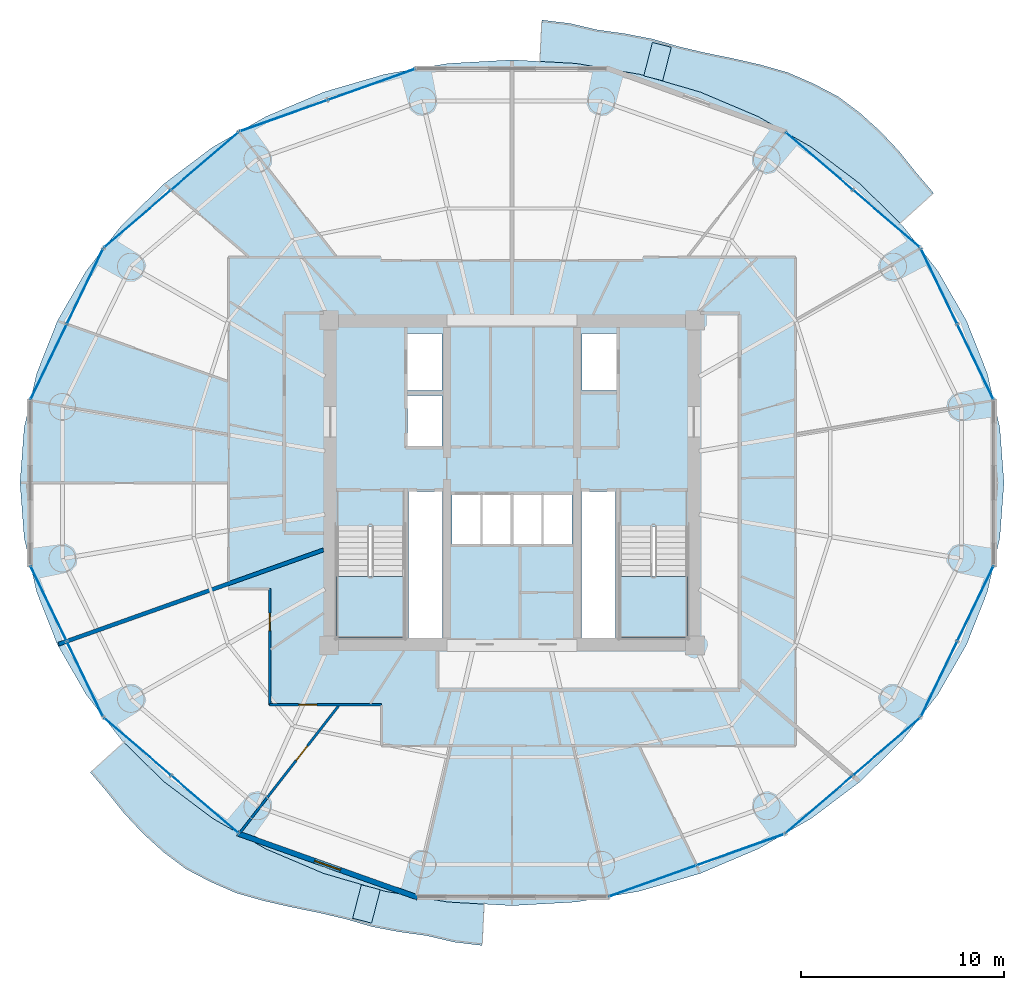
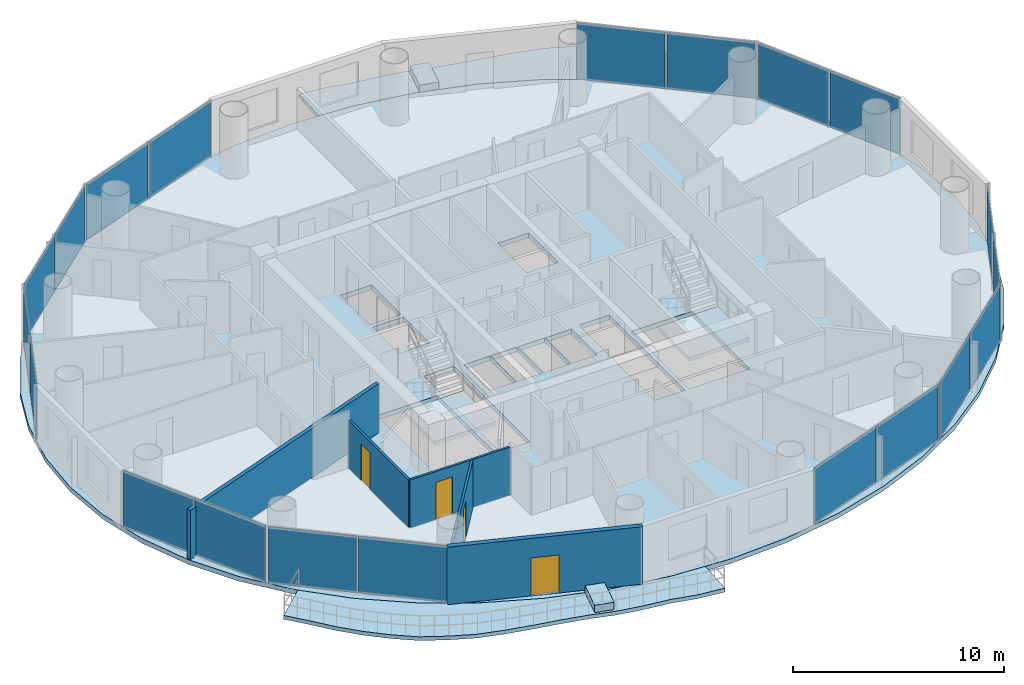
# One storey, part 20 of 27: 20 plates, 7 slabs, 5 walls, 4 doors, 4 openings, 12 elements without a shape of their own.
"""IFC4 building model written with IfcOpenShell, lengths in metres."""

from ifc_helpers import new_model, si_unit, direction, frame, frame_2d, origin, origin_2d, place, context, subcontext, project, spatial, polyline, rectangle, outline, extrude, source, transform, mapped, material, layer, layer_set, type_object, element, fill, aggregate, save


model = new_model("IFC4")

# Units and contexts
model_context = context("Model", 3, precision=1e-05, world=origin(), true_north=direction((-0.2419218956, 0.970295726276)))
body_context = subcontext(model_context, "Body", "Model", "MODEL_VIEW")
ifc_project = project(units=[si_unit("LENGTHUNIT", "METRE"), si_unit("AREAUNIT", "SQUARE_METRE"), si_unit("VOLUMEUNIT", "CUBIC_METRE"), si_unit("PLANEANGLEUNIT", "RADIAN"), si_unit("MASSUNIT", "GRAM", prefix="KILO")], contexts=[model_context])

# Site, building, storey
site_placement = place(None, origin())
site = spatial("IfcSite", under=ifc_project, at=site_placement, CompositionType="ELEMENT")
building_placement = place(site_placement, origin())
building = spatial("IfcBuilding", under=site, at=building_placement, Name="Cobrevalo Terracotta Tower", CompositionType="ELEMENT")
storey_placement = place(building_placement, frame((0.0, 0.0, 153.39990234375)))
storey = spatial("IfcBuildingStorey", under=building, at=storey_placement, Name="L40", CompositionType="ELEMENT", Elevation=153.39990234375)

# Stair, slab
ifc_material_1 = material(Name="Concrete C50", Category="concrete")
stair_type = type_object("IfcStairType", Name="Core protected escape dogleg stair 1600", PredefinedType="HALF_TURN_STAIR", material=ifc_material_1)
stair_1_placement = place(storey_placement, origin())
stair_1 = element("IfcStair", 1, at=stair_1_placement, inside=storey, type_object=stair_type, Name="L40 Protected exit stair ST-1", PredefinedType="HALF_TURN_STAIR")
ifc_layer_1 = layer(ifc_material_1, 0.199951171875)
ifc_layer_set_1 = layer_set([ifc_layer_1], Name="Concrete C50")
slab_type_1 = type_object("IfcSlabType", Name="Reinforced Concrete Stair Landing 200", PredefinedType="LANDING", material=ifc_layer_set_1)
slab_1_placement = place(storey_placement, frame((0.0, 0.0, 1.60009765625)))
slab_1 = element("IfcSlab", 2, at=slab_1_placement, type_object=slab_type_1, Name="ST-1 landing 1", PredefinedType="LANDING", context=body_context, shape_type="SweptSolid", body=[
    extrude(outline(polyline([(29.375, 22.179931640625), (29.375, 19.175048828125), (32.695068359375, 19.175048828125), (32.695068359375, 22.179931640625), (29.375, 22.179931640625)])), origin(), (0.0, 0.0, 1.0), 0.199951171875),
])
aggregate(stair_1, [slab_1])

stair_2_placement = place(storey_placement, origin())
stair_2 = element("IfcStair", 3, at=stair_2_placement, inside=storey, type_object=stair_type, Name="L40 Protected exit stair ST-2", PredefinedType="HALF_TURN_STAIR")
slab_2_placement = place(storey_placement, frame((0.0, 0.0, 1.60009765625)))
slab_2 = element("IfcSlab", 4, at=slab_2_placement, type_object=slab_type_1, Name="ST-2 landing 1", PredefinedType="LANDING", context=body_context, shape_type="SweptSolid", body=[
    extrude(outline(polyline([(43.304931640625, 22.179931640625), (43.304931640625, 19.175048828125), (46.625, 19.175048828125), (46.625, 22.179931640625), (43.304931640625, 22.179931640625)])), origin(), (0.0, 0.0, 1.0), 0.199951171875),
])
aggregate(stair_2, [slab_2])

# Slabs
ifc_material_2 = material(Name="Concrete C45", Category="concrete")
ifc_layer_2 = layer(ifc_material_2, 0.219970703125)
ifc_layer_set_2 = layer_set([ifc_layer_2], Name="Concrete C45")
slab_type_2 = type_object("IfcSlabType", Name="Spiralling cantilevered balcony lobe slab 220 mm", PredefinedType="FLOOR", material=ifc_layer_set_2)
slab_3_placement = place(storey_placement, frame((0.0, 0.0, -0.219970703125)))
element("IfcSlab", 5, at=slab_3_placement, inside=storey, type_object=slab_type_2, Name="L40 spiralling arc balcony slab lobe 1", PredefinedType="FLOOR", context=body_context, shape_type="SweptSolid", body=[
    extrude(outline(polyline([(58.739990234375, 41.041015625), (57.887939453125, 42.043212890625), (57.055419921875, 43.08349609375), (56.1328125, 44.066650390625), (55.124267578125, 44.97900390625), (54.036865234375, 45.7978515625), (52.81396484375, 46.43603515625), (51.552978515625, 46.983154296875), (50.213134765625, 47.362548828125), (48.861083984375, 47.672119140625), (47.516357421875, 47.9453125), (46.1875, 48.257080078125), (44.88232421875, 48.635498046875), (43.5400390625, 48.8916015625), (42.1845703125, 49.079833984375), (40.84228515625, 49.394775390625), (39.469970703125, 49.56201171875), (39.370361328125, 47.52490234375), (41.158935546875, 47.424072265625), (44.263916015625, 46.893310546875), (47.26171875, 46.0185546875), (50.10107421875, 44.81494140625), (52.733154296875, 43.30322265625), (55.11328125, 41.50927734375), (57.10205078125, 39.56005859375), (58.739990234375, 41.041015625)])), origin(), (0.0, 0.0, 1.0), 0.219970703125),
])
slab_4_placement = place(storey_placement, frame((0.0, 0.0, -0.219970703125)))
element("IfcSlab", 6, at=slab_4_placement, inside=storey, type_object=slab_type_2, Name="L40 spiralling arc balcony slab lobe 2", PredefinedType="FLOOR", context=body_context, shape_type="SweptSolid", body=[
    extrude(outline(polyline([(17.260009765625, 12.55908203125), (18.112060546875, 11.556884765625), (18.944580078125, 10.5166015625), (19.8671875, 9.533447265625), (20.875732421875, 8.62109375), (21.963134765625, 7.802001953125), (23.18603515625, 7.1640625), (24.447021484375, 6.616943359375), (25.786865234375, 6.2373046875), (27.138916015625, 5.927978515625), (28.483642578125, 5.65478515625), (29.8125, 5.343017578125), (31.11767578125, 4.964599609375), (32.4599609375, 4.70849609375), (33.8154296875, 4.520263671875), (35.15771484375, 4.205078125), (36.530029296875, 4.0380859375), (36.629638671875, 6.0751953125), (34.841064453125, 6.176025390625), (31.736083984375, 6.706787109375), (28.73828125, 7.58154296875), (25.89892578125, 8.784912109375), (23.266845703125, 10.296630859375), (20.88671875, 12.0908203125), (18.89794921875, 14.0400390625), (17.260009765625, 12.55908203125)])), origin(), (0.0, 0.0, 1.0), 0.219970703125),
])
ifc_material_3 = material(Name="Precast concrete C45", Category="concrete")
ifc_layer_3 = layer(ifc_material_3, 0.419921875)
ifc_layer_set_3 = layer_set([ifc_layer_3], Name="Precast concrete C45")
slab_type_3 = type_object("IfcSlabType", Name="Structural tree planter trough base 420 mm", PredefinedType="USERDEFINED", material=ifc_layer_set_3)
slab_5_placement = place(storey_placement, origin())
element("IfcSlab", 7, at=slab_5_placement, inside=storey, type_object=slab_type_3, Name="L40 structural tree planter trough 1", ObjectType="PLANTER", PredefinedType="USERDEFINED", context=body_context, shape_type="SweptSolid", body=[
    extrude(outline(polyline([(45.4111328125, 46.573974609375), (45.835693359375, 48.219970703125), (44.906005859375, 48.459716796875), (44.4814453125, 46.8134765625), (45.4111328125, 46.573974609375)])), origin(), (0.0, 0.0, 1.0), 0.420166015625),
])
slab_6_placement = place(storey_placement, origin())
element("IfcSlab", 8, at=slab_6_placement, inside=storey, type_object=slab_type_3, Name="L40 structural tree planter trough 2", ObjectType="PLANTER", PredefinedType="USERDEFINED", context=body_context, shape_type="SweptSolid", body=[
    extrude(outline(polyline([(30.5888671875, 7.026123046875), (30.164306640625, 5.3798828125), (31.093994140625, 5.14013671875), (31.5185546875, 6.786376953125), (30.5888671875, 7.026123046875)])), origin(), (0.0, 0.0, 1.0), 0.420166015625),
])
ifc_layer_4 = layer(ifc_material_1, 0.27001953125)
ifc_layer_set_4 = layer_set([ifc_layer_4], Name="Concrete C50")
slab_type_4 = type_object("IfcSlabType", Name="Zone Z3 elliptical floor plate 270 mm", PredefinedType="FLOOR", material=ifc_layer_set_4)
slab_7_placement = place(storey_placement, frame((0.0, 0.0, -0.27001953125)))
element("IfcSlab", 9, at=slab_7_placement, inside=storey, type_object=slab_type_4, Name="L40 indoor elliptical floor slab", PredefinedType="FLOOR", context=body_context, shape_type="SweptSolid", body=[
    extrude(outline(polyline([(61.992919921875, 24.0849609375), (61.37548828125, 21.41650390625), (60.35791015625, 18.840087890625), (58.957763671875, 16.39990234375), (57.19921875, 14.1376953125), (55.112060546875, 12.09228515625), (52.73193359375, 10.29833984375), (50.10009765625, 8.78662109375), (47.260986328125, 7.583251953125), (44.263427734375, 6.708740234375), (41.15869140625, 6.177978515625), (38.0, 6.0), (34.84130859375, 6.177978515625), (31.736572265625, 6.708740234375), (28.739013671875, 7.583251953125), (25.89990234375, 8.78662109375), (23.26806640625, 10.29833984375), (20.887939453125, 12.09228515625), (18.80078125, 14.1376953125), (17.042236328125, 16.39990234375), (15.64208984375, 18.840087890625), (14.62451171875, 21.41650390625), (14.007080078125, 24.0849609375), (13.800048828125, 26.800048828125), (14.007080078125, 29.514892578125), (14.62451171875, 32.183349609375), (15.64208984375, 34.759765625), (17.042236328125, 37.199951171875), (18.80078125, 39.462158203125), (20.887939453125, 41.5078125), (23.26806640625, 43.3017578125), (25.89990234375, 44.813232421875), (28.739013671875, 46.0166015625), (31.736572265625, 46.891357421875), (34.84130859375, 47.422119140625), (38.0, 47.60009765625), (41.15869140625, 47.422119140625), (44.263427734375, 46.891357421875), (47.260986328125, 46.0166015625), (50.10009765625, 44.813232421875), (52.73193359375, 43.3017578125), (55.112060546875, 41.5078125), (57.19921875, 39.462158203125), (58.957763671875, 37.199951171875), (60.35791015625, 34.759765625), (61.37548828125, 32.183349609375), (61.992919921875, 29.514892578125), (62.199951171875, 26.800048828125), (61.992919921875, 24.0849609375)]), holes=[polyline([(32.695068359375, 19.175048828125), (32.695068359375, 24.659912109375), (29.375, 24.659912109375), (29.375, 19.175048828125), (32.695068359375, 19.175048828125)]), polyline([(34.574951171875, 26.360107421875), (32.919921875, 26.360107421875), (32.919921875, 19.175048828125), (34.574951171875, 19.175048828125), (34.574951171875, 26.360107421875)]), polyline([(36.47998046875, 26.25), (35.050048828125, 26.25), (35.050048828125, 23.800048828125), (36.47998046875, 23.800048828125), (36.47998046875, 26.25)]), polyline([(37.9599609375, 23.800048828125), (37.9599609375, 26.25), (36.530029296875, 26.25), (36.530029296875, 23.800048828125), (37.9599609375, 23.800048828125)]), polyline([(34.550048828125, 28.60009765625), (34.550048828125, 31.10009765625), (32.85009765625, 31.10009765625), (32.85009765625, 28.60009765625), (34.550048828125, 28.60009765625)]), polyline([(34.550048828125, 34.14990234375), (32.85009765625, 34.14990234375), (32.85009765625, 31.35009765625), (34.550048828125, 31.35009765625), (34.550048828125, 34.14990234375)]), polyline([(43.304931640625, 19.175048828125), (46.625, 19.175048828125), (46.625, 24.659912109375), (43.304931640625, 24.659912109375), (43.304931640625, 19.175048828125)]), polyline([(43.080078125, 19.175048828125), (43.080078125, 26.360107421875), (41.425048828125, 26.360107421875), (41.425048828125, 19.175048828125), (43.080078125, 19.175048828125)]), polyline([(39.469970703125, 26.25), (38.0400390625, 26.25), (38.0400390625, 23.800048828125), (39.469970703125, 23.800048828125), (39.469970703125, 26.25)]), polyline([(40.949951171875, 23.800048828125), (40.949951171875, 26.25), (39.52001953125, 26.25), (39.52001953125, 23.800048828125), (40.949951171875, 23.800048828125)]), polyline([(43.14990234375, 31.35009765625), (43.14990234375, 34.14990234375), (41.449951171875, 34.14990234375), (41.449951171875, 31.35009765625), (43.14990234375, 31.35009765625)])]), origin(), (0.0, 0.0, 1.0), 0.27001953125),
])

# Curtain wall, plates
ifc_material_4 = material(Name="Anodized aluminium", Category="aluminium")
curtain_wall_type = type_object("IfcCurtainWallType", Name="Mid-tower high-wind unitised curtain wall CW-U2", PredefinedType="NOTDEFINED", material=ifc_material_4)
curtain_wall_1_placement = place(storey_placement, origin())
curtain_wall_1 = element("IfcCurtainWall", 10, at=curtain_wall_1_placement, inside=storey, type_object=curtain_wall_type, Name="L40 curtain wall CW-L40-S02", PredefinedType="NOTDEFINED")
ifc_material_5 = material(Name="Solar-control low-E double glazing", Category="glass")
ifc_layer_5 = layer(ifc_material_5, 0.028076171875)
ifc_layer_set_5 = layer_set([ifc_layer_5], Name="Solar-control low-E double glazing")
plate_type = type_object("IfcPlateType", Name="Tower solar-control low-E vision glass panel 28 mm", PredefinedType="CURTAIN_PANEL", material=ifc_layer_set_5)
shared_shape_1 = source(origin(), body_context, "Body", "SweptSolid", [
    extrude(rectangle(XDim=4.276123046875, YDim=0.035888671875, at=origin_2d()), origin(), (0.0, 0.0, 1.0), 3.25),
])
plate_1_placement = place(storey_placement, frame((56.414306640625, 39.784912109375, 0.0400390625), z_axis=(0.0, 0.0, 1.0), x_axis=(-0.758436996112, 0.651746363955, 0.0)))
plate_1 = element("IfcPlate", 11, at=plate_1_placement, type_object=plate_type, Name="CW-L40-S02 glazing panel B01", PredefinedType="CURTAIN_PANEL", context=body_context, shape_type="MappedRepresentation", body=[
    mapped(shared_shape_1, transform((0.0, 0.0, 0.0), scale=1.0)),
])
plate_2_placement = place(storey_placement, frame((53.1103515625, 42.6240234375, 0.0400390625), z_axis=(0.0, 0.0, 1.0), x_axis=(-0.758436996112, 0.651746363955, 0.0)))
plate_2 = element("IfcPlate", 12, at=plate_2_placement, type_object=plate_type, Name="CW-L40-S02 glazing panel B02", PredefinedType="CURTAIN_PANEL", context=body_context, shape_type="MappedRepresentation", body=[
    mapped(shared_shape_1, transform((0.0, 0.0, 0.0), scale=1.0)),
])
aggregate(curtain_wall_1, [plate_1, plate_2])

curtain_wall_2_placement = place(storey_placement, origin())
curtain_wall_2 = element("IfcCurtainWall", 13, at=curtain_wall_2_placement, inside=storey, type_object=curtain_wall_type, Name="L40 curtain wall CW-L40-S06", PredefinedType="NOTDEFINED")
plate_3_placement = place(storey_placement, frame((22.8896484375, 42.6240234375, 0.0400390625), z_axis=(0.0, 0.0, 1.0), x_axis=(-0.758436996112, -0.651746363955, 0.0)))
plate_3 = element("IfcPlate", 14, at=plate_3_placement, type_object=plate_type, Name="CW-L40-S06 glazing panel B01", PredefinedType="CURTAIN_PANEL", context=body_context, shape_type="MappedRepresentation", body=[
    mapped(shared_shape_1, transform((0.0, 0.0, 0.0), scale=1.0)),
])
plate_4_placement = place(storey_placement, frame((19.585693359375, 39.784912109375, 0.0400390625), z_axis=(0.0, 0.0, 1.0), x_axis=(-0.758436996112, -0.651746363955, 0.0)))
plate_4 = element("IfcPlate", 15, at=plate_4_placement, type_object=plate_type, Name="CW-L40-S06 glazing panel B02", PredefinedType="CURTAIN_PANEL", context=body_context, shape_type="MappedRepresentation", body=[
    mapped(shared_shape_1, transform((0.0, 0.0, 0.0), scale=1.0)),
])
aggregate(curtain_wall_2, [plate_3, plate_4])

curtain_wall_3_placement = place(storey_placement, origin())
curtain_wall_3 = element("IfcCurtainWall", 16, at=curtain_wall_3_placement, inside=storey, type_object=curtain_wall_type, Name="L40 curtain wall CW-L40-S10", PredefinedType="NOTDEFINED")
plate_5_placement = place(storey_placement, frame((19.585693359375, 13.815185546875, 0.0400390625), z_axis=(0.0, 0.0, 1.0), x_axis=(0.758436996112, -0.651746363955, 0.0)))
plate_5 = element("IfcPlate", 17, at=plate_5_placement, type_object=plate_type, Name="CW-L40-S10 glazing panel B01", PredefinedType="CURTAIN_PANEL", context=body_context, shape_type="MappedRepresentation", body=[
    mapped(shared_shape_1, transform((0.0, 0.0, 0.0), scale=1.0)),
])
plate_6_placement = place(storey_placement, frame((22.8896484375, 10.97607421875, 0.0400390625), z_axis=(0.0, 0.0, 1.0), x_axis=(0.758436996112, -0.651746363955, 0.0)))
plate_6 = element("IfcPlate", 18, at=plate_6_placement, type_object=plate_type, Name="CW-L40-S10 glazing panel B02", PredefinedType="CURTAIN_PANEL", context=body_context, shape_type="MappedRepresentation", body=[
    mapped(shared_shape_1, transform((0.0, 0.0, 0.0), scale=1.0)),
])
aggregate(curtain_wall_3, [plate_5, plate_6])

curtain_wall_4_placement = place(storey_placement, origin())
curtain_wall_4 = element("IfcCurtainWall", 19, at=curtain_wall_4_placement, inside=storey, type_object=curtain_wall_type, Name="L40 curtain wall CW-L40-S14", PredefinedType="NOTDEFINED")
plate_7_placement = place(storey_placement, frame((53.1103515625, 10.97607421875, 0.0400390625), z_axis=(0.0, 0.0, 1.0), x_axis=(0.758436996112, 0.651746363955, 0.0)))
plate_7 = element("IfcPlate", 20, at=plate_7_placement, type_object=plate_type, Name="CW-L40-S14 glazing panel B01", PredefinedType="CURTAIN_PANEL", context=body_context, shape_type="MappedRepresentation", body=[
    mapped(shared_shape_1, transform((0.0, 0.0, 0.0), scale=1.0)),
])
plate_8_placement = place(storey_placement, frame((56.414306640625, 13.815185546875, 0.0400390625), z_axis=(0.0, 0.0, 1.0), x_axis=(0.758436996112, 0.651746363955, 0.0)))
plate_8 = element("IfcPlate", 21, at=plate_8_placement, type_object=plate_type, Name="CW-L40-S14 glazing panel B02", PredefinedType="CURTAIN_PANEL", context=body_context, shape_type="MappedRepresentation", body=[
    mapped(shared_shape_1, transform((0.0, 0.0, 0.0), scale=1.0)),
])
aggregate(curtain_wall_4, [plate_7, plate_8])

curtain_wall_5_placement = place(storey_placement, origin())
curtain_wall_5 = element("IfcCurtainWall", 22, at=curtain_wall_5_placement, inside=storey, type_object=curtain_wall_type, Name="L40 curtain wall CW-L40-S01", PredefinedType="NOTDEFINED")
shared_shape_2 = source(origin(), body_context, "Body", "SweptSolid", [
    extrude(rectangle(XDim=4.035888671875, YDim=0.035888671875, at=origin_2d()), origin(), (0.0, 0.0, 1.0), 3.25),
])
plate_9_placement = place(storey_placement, frame((60.794677734375, 32.741943359375, 0.0400390625), z_axis=(0.0, 0.0, 1.0), x_axis=(-0.434209440271, 0.900811945957, 0.0)))
plate_9 = element("IfcPlate", 23, at=plate_9_placement, type_object=plate_type, Name="CW-L40-S01 glazing panel B01", PredefinedType="CURTAIN_PANEL", context=body_context, shape_type="MappedRepresentation", body=[
    mapped(shared_shape_2, transform((0.0, 0.0, 0.0), scale=1.0)),
])
plate_10_placement = place(storey_placement, frame((59.007568359375, 36.449462890625, 0.0400390625), z_axis=(0.0, 0.0, 1.0), x_axis=(-0.434209440271, 0.900811945957, 0.0)))
plate_10 = element("IfcPlate", 24, at=plate_10_placement, type_object=plate_type, Name="CW-L40-S01 glazing panel B02", PredefinedType="CURTAIN_PANEL", context=body_context, shape_type="MappedRepresentation", body=[
    mapped(shared_shape_2, transform((0.0, 0.0, 0.0), scale=1.0)),
])
aggregate(curtain_wall_5, [plate_9, plate_10])

curtain_wall_6_placement = place(storey_placement, origin())
curtain_wall_6 = element("IfcCurtainWall", 25, at=curtain_wall_6_placement, inside=storey, type_object=curtain_wall_type, Name="L40 curtain wall CW-L40-S07", PredefinedType="NOTDEFINED")
plate_11_placement = place(storey_placement, frame((16.992431640625, 36.449462890625, 0.0400390625), z_axis=(0.0, 0.0, 1.0), x_axis=(-0.434209440271, -0.900811945957, 0.0)))
plate_11 = element("IfcPlate", 26, at=plate_11_placement, type_object=plate_type, Name="CW-L40-S07 glazing panel B01", PredefinedType="CURTAIN_PANEL", context=body_context, shape_type="MappedRepresentation", body=[
    mapped(shared_shape_2, transform((0.0, 0.0, 0.0), scale=1.0)),
])
plate_12_placement = place(storey_placement, frame((15.205322265625, 32.741943359375, 0.0400390625), z_axis=(0.0, 0.0, 1.0), x_axis=(-0.434209440271, -0.900811945957, 0.0)))
plate_12 = element("IfcPlate", 27, at=plate_12_placement, type_object=plate_type, Name="CW-L40-S07 glazing panel B02", PredefinedType="CURTAIN_PANEL", context=body_context, shape_type="MappedRepresentation", body=[
    mapped(shared_shape_2, transform((0.0, 0.0, 0.0), scale=1.0)),
])
aggregate(curtain_wall_6, [plate_11, plate_12])

curtain_wall_7_placement = place(storey_placement, origin())
curtain_wall_7 = element("IfcCurtainWall", 28, at=curtain_wall_7_placement, inside=storey, type_object=curtain_wall_type, Name="L40 curtain wall CW-L40-S09", PredefinedType="NOTDEFINED")
plate_13_placement = place(storey_placement, frame((15.205322265625, 20.858154296875, 0.0400390625), z_axis=(0.0, 0.0, 1.0), x_axis=(0.434209440271, -0.900811945957, 0.0)))
plate_13 = element("IfcPlate", 29, at=plate_13_placement, type_object=plate_type, Name="CW-L40-S09 glazing panel B01", PredefinedType="CURTAIN_PANEL", context=body_context, shape_type="MappedRepresentation", body=[
    mapped(shared_shape_2, transform((0.0, 0.0, 0.0), scale=1.0)),
])
plate_14_placement = place(storey_placement, frame((16.992431640625, 17.150634765625, 0.0400390625), z_axis=(0.0, 0.0, 1.0), x_axis=(0.434209440271, -0.900811945957, 0.0)))
plate_14 = element("IfcPlate", 30, at=plate_14_placement, type_object=plate_type, Name="CW-L40-S09 glazing panel B02", PredefinedType="CURTAIN_PANEL", context=body_context, shape_type="MappedRepresentation", body=[
    mapped(shared_shape_2, transform((0.0, 0.0, 0.0), scale=1.0)),
])
aggregate(curtain_wall_7, [plate_13, plate_14])

curtain_wall_8_placement = place(storey_placement, origin())
curtain_wall_8 = element("IfcCurtainWall", 31, at=curtain_wall_8_placement, inside=storey, type_object=curtain_wall_type, Name="L40 curtain wall CW-L40-S15", PredefinedType="NOTDEFINED")
plate_15_placement = place(storey_placement, frame((59.007568359375, 17.150634765625, 0.0400390625), z_axis=(0.0, 0.0, 1.0), x_axis=(0.434209440271, 0.900811945957, 0.0)))
plate_15 = element("IfcPlate", 32, at=plate_15_placement, type_object=plate_type, Name="CW-L40-S15 glazing panel B01", PredefinedType="CURTAIN_PANEL", context=body_context, shape_type="MappedRepresentation", body=[
    mapped(shared_shape_2, transform((0.0, 0.0, 0.0), scale=1.0)),
])
plate_16_placement = place(storey_placement, frame((60.794677734375, 20.858154296875, 0.0400390625), z_axis=(0.0, 0.0, 1.0), x_axis=(0.434209440271, 0.900811945957, 0.0)))
plate_16 = element("IfcPlate", 33, at=plate_16_placement, type_object=plate_type, Name="CW-L40-S15 glazing panel B02", PredefinedType="CURTAIN_PANEL", context=body_context, shape_type="MappedRepresentation", body=[
    mapped(shared_shape_2, transform((0.0, 0.0, 0.0), scale=1.0)),
])
aggregate(curtain_wall_8, [plate_15, plate_16])

curtain_wall_9_placement = place(storey_placement, origin())
curtain_wall_9 = element("IfcCurtainWall", 34, at=curtain_wall_9_placement, inside=storey, type_object=curtain_wall_type, Name="L40 curtain wall CW-L40-S05", PredefinedType="NOTDEFINED")
shared_shape_3 = source(origin(), body_context, "Body", "SweptSolid", [
    extrude(rectangle(XDim=4.504150390625, YDim=0.035888671875, at=origin_2d()), origin(), (0.0, 0.0, 1.0), 3.25),
])
plate_17_placement = place(storey_placement, frame((31.087646484375, 46.388916015625, 0.0400390625), z_axis=(0.0, 0.0, 1.0), x_axis=(-0.942098428897, -0.335336473217, 0.0)))
plate_17 = element("IfcPlate", 35, at=plate_17_placement, type_object=plate_type, Name="CW-L40-S05 glazing panel B01", PredefinedType="CURTAIN_PANEL", context=body_context, shape_type="MappedRepresentation", body=[
    mapped(shared_shape_3, transform((0.0, 0.0, 0.0), scale=1.0)),
])
plate_18_placement = place(storey_placement, frame((26.768798828125, 44.8515625, 0.0400390625), z_axis=(0.0, 0.0, 1.0), x_axis=(-0.942098428897, -0.335336473217, 0.0)))
plate_18 = element("IfcPlate", 36, at=plate_18_placement, type_object=plate_type, Name="CW-L40-S05 glazing panel B02", PredefinedType="CURTAIN_PANEL", context=body_context, shape_type="MappedRepresentation", body=[
    mapped(shared_shape_3, transform((0.0, 0.0, 0.0), scale=1.0)),
])
aggregate(curtain_wall_9, [plate_17, plate_18])

curtain_wall_10_placement = place(storey_placement, origin())
curtain_wall_10 = element("IfcCurtainWall", 37, at=curtain_wall_10_placement, inside=storey, type_object=curtain_wall_type, Name="L40 curtain wall CW-L40-S13", PredefinedType="NOTDEFINED")
plate_19_placement = place(storey_placement, frame((44.912353515625, 7.211181640625, 0.0400390625), z_axis=(0.0, 0.0, 1.0), x_axis=(0.942098428897, 0.335336473217, 0.0)))
plate_19 = element("IfcPlate", 38, at=plate_19_placement, type_object=plate_type, Name="CW-L40-S13 glazing panel B01", PredefinedType="CURTAIN_PANEL", context=body_context, shape_type="MappedRepresentation", body=[
    mapped(shared_shape_3, transform((0.0, 0.0, 0.0), scale=1.0)),
])
plate_20_placement = place(storey_placement, frame((49.231201171875, 8.748291015625, 0.0400390625), z_axis=(0.0, 0.0, 1.0), x_axis=(0.942098428897, 0.335336473217, 0.0)))
plate_20 = element("IfcPlate", 39, at=plate_20_placement, type_object=plate_type, Name="CW-L40-S13 glazing panel B02", PredefinedType="CURTAIN_PANEL", context=body_context, shape_type="MappedRepresentation", body=[
    mapped(shared_shape_3, transform((0.0, 0.0, 0.0), scale=1.0)),
])
aggregate(curtain_wall_10, [plate_19, plate_20])

# Wall
ifc_material_6 = material(Name="Autoclaved aerated concrete block", Category="concrete")
ifc_layer_6 = layer(ifc_material_6, 0.199951171875)
ifc_layer_set_6 = layer_set([ifc_layer_6], Name="Autoclaved aerated concrete block")
wall_type_1 = type_object("IfcWallType", Name="Fire-rated stair, shaft & demising masonry wall 200 mm", PredefinedType="PARTITIONING", material=ifc_layer_set_6)
wall_1_placement = place(storey_placement, frame((28.72314453125, 23.497314453125, 0.0), z_axis=(0.0, 0.0, 1.0), x_axis=(-0.942077095572, -0.335396401292, 0.0)))
element("IfcWall", 40, at=wall_1_placement, inside=storey, type_object=wall_type_1, Name="L40 interior partition IW-L40-DEM-2", PredefinedType="PARTITIONING", context=body_context, shape_type="SweptSolid", body=[
    extrude(rectangle(XDim=13.8232421875, YDim=0.199951171875, at=frame_2d((6.91162109375, 0.0))), origin(), (0.0, 0.0, 1.0), 2.84619140625),
])

# Wall, opening, door
ifc_layer_7 = layer(ifc_material_6, 0.260009765625)
ifc_layer_set_7 = layer_set([ifc_layer_7], Name="Autoclaved aerated concrete block")
wall_type_2 = type_object("IfcWallType", Name="Recessed balcony loggia insulated exterior wall 260 mm", PredefinedType="SOLIDWALL", material=ifc_layer_set_7)
wall_2_placement = place(storey_placement, frame((24.49658203125, 9.55712890625, 0.0), z_axis=(0.0, 0.0, 1.0), x_axis=(0.942103604331, -0.335321932934, 0.0)))
wall_2 = element("IfcWall", 41, at=wall_2_placement, inside=storey, type_object=wall_type_2, Name="L40 balcony loggia wall S11", PredefinedType="SOLIDWALL", context=body_context, shape_type="SweptSolid", body=[
    extrude(rectangle(XDim=9.408203125, YDim=0.260009765625, at=frame_2d((4.7041015625, 0.0))), origin(), (0.0, 0.0, 1.0), 3.330078125),
])
opening_1_placement = place(wall_2_placement, frame((4.029052734375, 0.0, 0.0)))
opening_1 = element("IfcOpeningElement", 42, at=opening_1_placement, cuts=wall_2, Name="Opening ED-05", PredefinedType="OPENING", context=body_context, shape_type="SweptSolid", body=[
    extrude(rectangle(XDim=1.35009765625, YDim=2.199951171875, at=frame_2d((0.675048828125, 1.10009765625))), frame((0.0, 0.14013671875, 0.0), z_axis=(0.0, -1.0, 0.0), x_axis=(1.0, 0.0, 0.0)), (0.0, 0.0, 1.0), 0.280029296875),
])
ifc_material_7 = material(Name="Anodized aluminium and laminated glass", Category="aluminium")
door_type_1 = type_object("IfcDoorType", Name="Suite balcony acoustic glazed terrace door 1350x2200", OperationType="NOTDEFINED", PredefinedType="DOOR", material=ifc_material_7)
shared_shape_4 = source(origin(), body_context, "Body", "SweptSolid", [
    extrude(rectangle(XDim=1.35009765625, YDim=2.199951171875, at=frame_2d((0.675048828125, 1.10009765625))), frame((0.0, 0.02490234375, 0.0), z_axis=(0.0, -1.0, 0.0), x_axis=(1.0, 0.0, 0.0)), (0.0, 0.0, 1.0), 0.050048828125),
])
door_1_placement = place(opening_1_placement, frame((1.35009765625, 0.0, 0.0), z_axis=(0.0, 0.0, 1.0), x_axis=(-1.0, 0.0, 0.0)))
door_1 = element("IfcDoor", 43, at=door_1_placement, inside=storey, type_object=door_type_1, Name="L40 glazed balcony terrace door 2", OperationType="SINGLE_SWING_RIGHT", OverallHeight=2.199951171875, OverallWidth=1.35009765625, PredefinedType="DOOR", context=body_context, shape_type="MappedRepresentation", body=[
    mapped(shared_shape_4, transform((0.0, 0.0, 0.0), scale=1.0)),
])
fill(opening_1, door_1)

ifc_material_8 = material(Name="Gypsum board on steel stud", Category="steel")
ifc_layer_8 = layer(ifc_material_8, 0.1201171875)
ifc_layer_set_8 = layer_set([ifc_layer_8], Name="Gypsum board on steel stud")
wall_type_3 = type_object("IfcWallType", Name="Residential internal acoustic stud partition 120 mm", PredefinedType="PARTITIONING", material=ifc_layer_set_8)
wall_3_placement = place(storey_placement, frame((31.590087890625, 15.875, 0.0), z_axis=(0.0, 0.0, 1.0), x_axis=(-1.0, 0.0, 0.0)))
wall_3 = element("IfcWall", 44, at=wall_3_placement, inside=storey, type_object=wall_type_3, Name="L40 interior partition IW-L40-U2-RING3_0", PredefinedType="PARTITIONING", context=body_context, shape_type="SweptSolid", body=[
    extrude(rectangle(XDim=5.51513671875, YDim=0.1201171875, at=frame_2d((2.757568359375, 0.0))), origin(), (0.0, 0.0, 1.0), 2.776123046875),
])
opening_2_placement = place(wall_3_placement, frame((3.189208984375, 0.0, 0.0)))
opening_2 = element("IfcOpeningElement", 45, at=opening_2_placement, cuts=wall_3, Name="Opening ID-12", PredefinedType="OPENING", context=body_context, shape_type="SweptSolid", body=[
    extrude(rectangle(XDim=0.89990234375, YDim=2.14990234375, at=frame_2d((0.449951171875, 1.074951171875))), frame((0.0, 0.070068359375, 0.0), z_axis=(0.0, -1.0, 0.0), x_axis=(1.0, 0.0, 0.0)), (0.0, 0.0, 1.0), 0.14013671875),
])
ifc_material_9 = material(Name="Engineered timber", Category="wood")
door_type_2 = type_object("IfcDoorType", Name="Internal residence & suite timber door 900x2150", OperationType="NOTDEFINED", PredefinedType="DOOR", material=ifc_material_9)
shared_shape_5 = source(origin(), body_context, "Body", "SweptSolid", [
    extrude(rectangle(XDim=0.89990234375, YDim=2.14990234375, at=frame_2d((0.449951171875, 1.074951171875))), frame((0.0, 0.02490234375, 0.0), z_axis=(0.0, -1.0, 0.0), x_axis=(1.0, 0.0, 0.0)), (0.0, 0.0, 1.0), 0.050048828125),
])
door_2_placement = place(opening_2_placement, frame((0.89990234375, 0.0, 0.0), z_axis=(0.0, 0.0, 1.0), x_axis=(-1.0, 0.0, 0.0)))
door_2 = element("IfcDoor", 46, at=door_2_placement, inside=storey, type_object=door_type_2, Name="Flat L40B Private Library Meeting Room internal door", OperationType="SINGLE_SWING_RIGHT", OverallHeight=2.14990234375, OverallWidth=0.89990234375, PredefinedType="DOOR", context=body_context, shape_type="MappedRepresentation", body=[
    mapped(shared_shape_5, transform((0.0, 0.0, 0.0), scale=1.0)),
])
fill(opening_2, door_2)

wall_4_placement = place(storey_placement, frame((26.074951171875, 15.875, 0.0), z_axis=(0.0, 0.0, 1.0), x_axis=(0.0, 1.0, 0.0)))
wall_4 = element("IfcWall", 47, at=wall_4_placement, inside=storey, type_object=wall_type_3, Name="L40 interior partition IW-L40-U2-RING4_0", PredefinedType="PARTITIONING", context=body_context, shape_type="SweptSolid", body=[
    extrude(rectangle(XDim=5.715087890625, YDim=0.1201171875, at=frame_2d((2.857421875, 0.0))), origin(), (0.0, 0.0, 1.0), 2.776123046875),
])
opening_3_placement = place(wall_4_placement, frame((3.647705078125, 0.0, 0.0)))
opening_3 = element("IfcOpeningElement", 48, at=opening_3_placement, cuts=wall_4, Name="Opening ID-19", PredefinedType="OPENING", context=body_context, shape_type="SweptSolid", body=[
    extrude(rectangle(XDim=0.860107421875, YDim=2.14990234375, at=frame_2d((0.43017578125, 1.074951171875))), frame((0.0, 0.070068359375, 0.0), z_axis=(0.0, -1.0, 0.0), x_axis=(1.0, 0.0, 0.0)), (0.0, 0.0, 1.0), 0.14013671875),
])
ifc_material_10 = material(Name="Moisture-sealed timber", Category="wood")
door_type_3 = type_object("IfcDoorType", Name="Suite bathroom internal timber door 860x2150", OperationType="NOTDEFINED", PredefinedType="DOOR", material=ifc_material_10)
shared_shape_6 = source(origin(), body_context, "Body", "SweptSolid", [
    extrude(rectangle(XDim=0.860107421875, YDim=2.14990234375, at=frame_2d((0.43017578125, 1.074951171875))), frame((0.0, 0.02490234375, 0.0), z_axis=(0.0, -1.0, 0.0), x_axis=(1.0, 0.0, 0.0)), (0.0, 0.0, 1.0), 0.050048828125),
])
door_3_placement = place(opening_3_placement, frame((0.860107421875, 0.0, 0.0), z_axis=(0.0, 0.0, 1.0), x_axis=(-1.0, 0.0, 0.0)))
door_3 = element("IfcDoor", 49, at=door_3_placement, inside=storey, type_object=door_type_3, Name="Flat L40B Guest Bathroom internal door", OperationType="SINGLE_SWING_LEFT", OverallHeight=2.14990234375, OverallWidth=0.860107421875, PredefinedType="DOOR", context=body_context, shape_type="MappedRepresentation", body=[
    mapped(shared_shape_6, transform((0.0, 0.0, 0.0), scale=1.0)),
])
fill(opening_3, door_3)

wall_5_placement = place(storey_placement, frame((29.46875, 15.826171875, 0.0), z_axis=(0.0, 0.0, 1.0), x_axis=(-0.61373942367, -0.789508657225, 0.0)))
wall_5 = element("IfcWall", 50, at=wall_5_placement, inside=storey, type_object=wall_type_3, Name="L40 interior partition IW-L40-U2-ORAD1", PredefinedType="PARTITIONING", context=body_context, shape_type="SweptSolid", body=[
    extrude(rectangle(XDim=7.897705078125, YDim=0.1201171875, at=frame_2d((3.94873046875, 0.0))), origin(), (0.0, 0.0, 1.0), 2.776123046875),
])
opening_4_placement = place(wall_5_placement, frame((2.49609375, 0.0, 0.0)))
opening_4 = element("IfcOpeningElement", 51, at=opening_4_placement, cuts=wall_5, Name="Opening ID-12", PredefinedType="OPENING", context=body_context, shape_type="SweptSolid", body=[
    extrude(rectangle(XDim=0.89990234375, YDim=2.14990234375, at=frame_2d((0.449951171875, 1.074951171875))), frame((0.0, 0.070068359375, 0.0), z_axis=(0.0, -1.0, 0.0), x_axis=(1.0, 0.0, 0.0)), (0.0, 0.0, 1.0), 0.14013671875),
])
door_4_placement = place(opening_4_placement, frame((0.89990234375, 0.0, 0.0), z_axis=(0.0, 0.0, 1.0), x_axis=(-1.0, 0.0, 0.0)))
door_4 = element("IfcDoor", 52, at=door_4_placement, inside=storey, type_object=door_type_2, Name="Flat L40B Living and Dining Room internal door", OperationType="SINGLE_SWING_RIGHT", OverallHeight=2.14990234375, OverallWidth=0.89990234375, PredefinedType="DOOR", context=body_context, shape_type="MappedRepresentation", body=[
    mapped(shared_shape_5, transform((0.0, 0.0, 0.0), scale=1.0)),
])
fill(opening_4, door_4)

save(model, "model.ifc")
